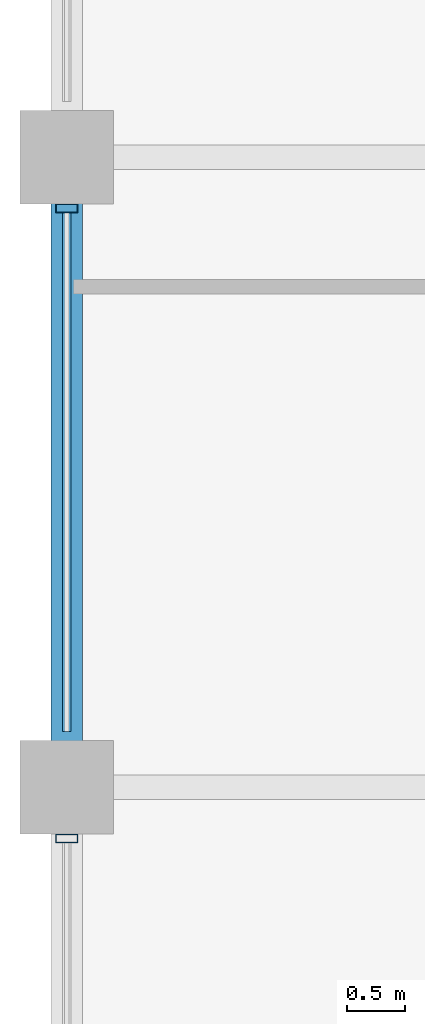
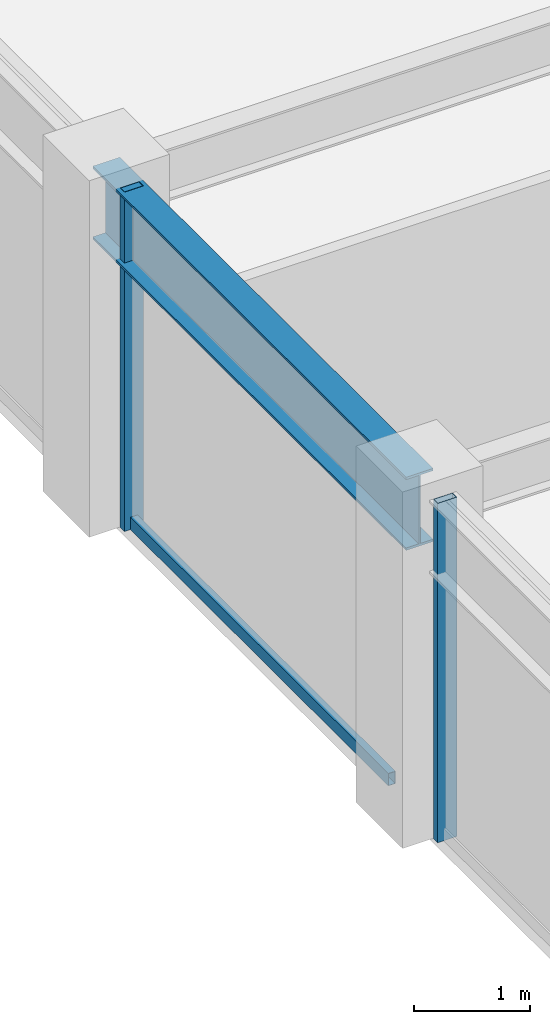
# One storey, part 10 of 32: 3 members, 1 beam, 1 element without a shape of its own.
"""IFC4 building model written with IfcOpenShell, lengths in metres."""

from ifc_helpers import new_model, si_unit, direction, frame, origin, origin_2d, place, context, subcontext, project, spatial, hollow_rectangle, i_section, extrude, material, layer, layer_set, material_profile, profile_set, type_object, element, aggregate, save


model = new_model("IFC4")

# Units and contexts
model_context = context("Model", 3, precision=1e-05, world=origin(), true_north=direction((0.0, 1.0)))
body_context = subcontext(model_context, "Body", "Model", "MODEL_VIEW")
ifc_project = project(units=[si_unit("LENGTHUNIT", "METRE"), si_unit("AREAUNIT", "SQUARE_METRE"), si_unit("VOLUMEUNIT", "CUBIC_METRE"), si_unit("PLANEANGLEUNIT", "RADIAN"), si_unit("MASSUNIT", "GRAM", prefix="KILO")], contexts=[model_context])

# Site, building, storey
site_placement = place(None, origin())
site = spatial("IfcSite", under=ifc_project, at=site_placement, CompositionType="ELEMENT")
building_placement = place(site_placement, origin())
building = spatial("IfcBuilding", under=site, at=building_placement, Name="Surkhivell Harbour Commons", CompositionType="ELEMENT")
storey_placement = place(building_placement, frame((0.0, 0.0, 216.0)))
storey = spatial("IfcBuildingStorey", under=building, at=storey_placement, Name="L56", CompositionType="ELEMENT", Elevation=216.0)

# Beam
ifc_material_1 = material(Name="Steel S355", Category="steel")
ifc_material_profile_1 = material_profile(ifc_material_1, i_section(OverallWidth=0.26806640625, OverallDepth=0.77001953125, WebThickness=0.015625, FlangeThickness=0.025390625, at=origin_2d()), Name="UB762x267x197")
ifc_profile_set_1 = profile_set([ifc_material_profile_1], Name="Steel S355")
beam_type = type_object("IfcBeamType", Name="BM-SPN-762", PredefinedType="SPANDREL", material=ifc_profile_set_1)
beam_placement = place(storey_placement, frame((-27.0, 5.39990234375, 3.18505859375), z_axis=(0.0, 1.0, 0.0), x_axis=(-1.0, 0.0, 0.0)))
element("IfcBeam", 1, at=beam_placement, inside=storey, type_object=beam_type, Name="L56 Tube Spandrel (-27.0,5.4)", PredefinedType="SPANDREL", context=body_context, shape_type="SweptSolid", body=[
    extrude(i_section(OverallWidth=0.26806640625, OverallDepth=0.77001953125, WebThickness=0.015625, FlangeThickness=0.025390625, at=origin_2d()), origin(), (0.0, 0.0, 1.0), 5.400146484375),
])

# Curtain wall, members
ifc_material_2 = material(Name="Anodised pale-metal aluminium and insulated glazing", Category="aluminium")
ifc_layer = layer(ifc_material_2, 0.18994140625)
ifc_layer_set = layer_set([ifc_layer], Name="Anodised pale-metal aluminium and insulated glazing")
curtain_wall_type = type_object("IfcCurtainWallType", Name="CW-SYS-Z3", PredefinedType="NOTDEFINED", material=ifc_layer_set)
curtain_wall_placement = place(storey_placement, origin())
curtain_wall = element("IfcCurtainWall", 2, at=curtain_wall_placement, inside=storey, type_object=curtain_wall_type, Name="L56 Curtain Wall CW-L56-E12S1", PredefinedType="NOTDEFINED")
ifc_material_3 = material(Name="Anodised pale-metal aluminium alloy 6063-T6", Category="aluminium")
ifc_material_profile_2 = material_profile(ifc_material_3, hollow_rectangle(XDim=0.074951171875, YDim=0.18994140625, WallThickness=0.00390625, at=origin_2d()), Name="ALU-MULL-75x190")
ifc_profile_set_2 = profile_set([ifc_material_profile_2], Name="Anodised pale-metal aluminium alloy 6063-T6")
member_type_1 = type_object("IfcMemberType", Name="CWM-190", PredefinedType="MULLION", material=ifc_profile_set_2)
member_1_placement = place(storey_placement, frame((-27.0, 10.360595703125, 0.0), z_axis=(0.0, 0.0, 1.0), x_axis=(0.0, -1.0, 0.0)))
member_1 = element("IfcMember", 3, at=member_1_placement, type_object=member_type_1, Name="CW-Z3 mullion 3", PredefinedType="MULLION", context=body_context, shape_type="SweptSolid", body=[
    extrude(hollow_rectangle(XDim=0.074951171875, YDim=0.18994140625, WallThickness=0.00390625, at=origin_2d()), origin(), (0.0, 0.0, 1.0), 3.570068359375),
])
member_2_placement = place(storey_placement, frame((-27.0, 4.96044921875, 0.0), z_axis=(0.0, 0.0, 1.0), x_axis=(0.0, -1.0, 0.0)))
member_2 = element("IfcMember", 4, at=member_2_placement, type_object=member_type_1, Name="CW-Z3 mullion 4", PredefinedType="MULLION", context=body_context, shape_type="SweptSolid", body=[
    extrude(hollow_rectangle(XDim=0.074951171875, YDim=0.18994140625, WallThickness=0.00390625, at=origin_2d()), origin(), (0.0, 0.0, 1.0), 3.570068359375),
])
ifc_material_4 = material(Name="Champagne anodised aluminium alloy 6063-T6", Category="aluminium")
ifc_material_profile_3 = material_profile(ifc_material_4, hollow_rectangle(XDim=0.070068359375, YDim=0.1298828125, WallThickness=0.00341796875, at=origin_2d()), Name="ALU-TRAN-70x130")
ifc_profile_set_3 = profile_set([ifc_material_profile_3], Name="Champagne anodised aluminium alloy 6063-T6")
member_type_2 = type_object("IfcMemberType", Name="CWT-130", PredefinedType="USERDEFINED", material=ifc_profile_set_3)
member_3_placement = place(storey_placement, frame((-27.0, 10.322998046875, 0.06494140625), z_axis=(0.0, -1.0, 0.0), x_axis=(1.0, 0.0, 0.0)))
member_3 = element("IfcMember", 5, at=member_3_placement, type_object=member_type_2, Name="CW-Z3 transom 3.1", ObjectType="TRANSOM", PredefinedType="USERDEFINED", context=body_context, shape_type="SweptSolid", body=[
    extrude(hollow_rectangle(XDim=0.070068359375, YDim=0.1298828125, WallThickness=0.00341796875, at=origin_2d()), origin(), (0.0, 0.0, 1.0), 4.446044921875),
])
aggregate(curtain_wall, [member_1, member_3, member_2])

save(model, "model.ifc")
